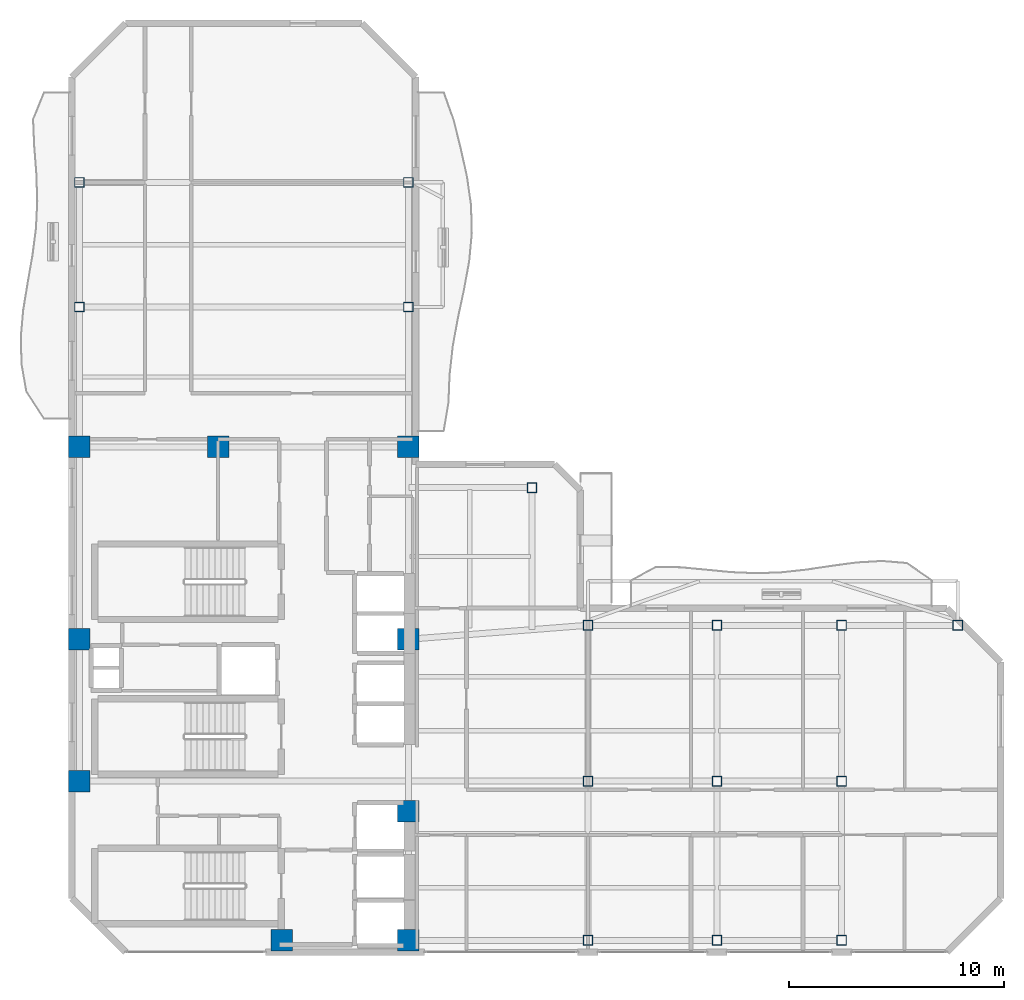
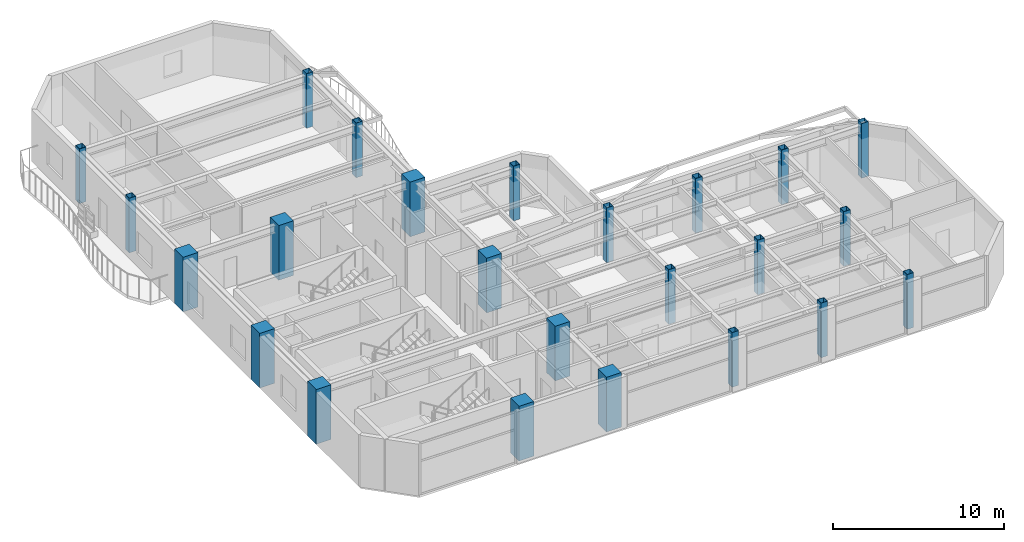
# One storey, part 1 of 15: 24 columns.
"""IFC4 building model written with IfcOpenShell, lengths in metres."""

from ifc_helpers import new_model, si_unit, direction, frame, origin, origin_2d, place, context, subcontext, project, spatial, rectangle, hollow_rectangle, extrude, material, material_profile, profile_set, type_object, element, save


model = new_model("IFC4")

# Units and contexts
model_context = context("Model", 3, precision=1e-05, world=origin(), true_north=direction((0.0, 1.0)))
body_context = subcontext(model_context, "Body", "Model", "MODEL_VIEW")
ifc_project = project(units=[si_unit("LENGTHUNIT", "METRE"), si_unit("AREAUNIT", "SQUARE_METRE"), si_unit("VOLUMEUNIT", "CUBIC_METRE"), si_unit("PLANEANGLEUNIT", "RADIAN"), si_unit("MASSUNIT", "GRAM", prefix="KILO")], contexts=[model_context])

# Site, building, storey
site_placement = place(None, origin())
site = spatial("IfcSite", under=ifc_project, at=site_placement, CompositionType="ELEMENT")
building_placement = place(site_placement, origin())
building = spatial("IfcBuilding", under=site, at=building_placement, Name="Mawjaban Terraces University", CompositionType="ELEMENT")
storey_placement = place(building_placement, frame((0.0, 0.0, 207.0)))
storey = spatial("IfcBuildingStorey", under=building, at=storey_placement, Name="L50", CompositionType="ELEMENT", Elevation=207.0)

# Columns
ifc_material_1 = material(Name="Concrete C60/75", Category="concrete")
ifc_material_profile_1 = material_profile(ifc_material_1, rectangle(XDim=1.0, YDim=1.0, at=origin_2d()), Name="RC1000X1000")
ifc_profile_set_1 = profile_set([ifc_material_profile_1], Name="Concrete C60/75")
column_type_1 = type_object("IfcColumnType", Name="Col_RC1000X1000", PredefinedType="COLUMN", material=ifc_profile_set_1)
for number, where, z_axis, x_axis, name in (
    (1, (31.75, 0.550048828125, 0.0), (0.0, 0.0, 1.0), (1.0, 0.0, 0.0), "L50 Column CC2"),
    (2, (37.64990234375, 0.550048828125, 0.0), (0.0, 0.0, 1.0), (1.0, 0.0, 0.0), "L50 Column CC3"),
    (3, (22.35009765625, 7.949951171875, 0.0), (0.0, 0.0, 1.0), (1.0, 0.0, 0.0), "L50 Column CC4"),
    (4, (37.64990234375, 6.550048828125, 0.0), (0.0, 0.0, 1.0), (1.0, 0.0, 0.0), "L50 Column CC5"),
    (5, (22.35009765625, 14.550048828125, 0.0), (0.0, 0.0, 1.0), (1.0, 0.0, 0.0), "L50 Column CC6"),
    (6, (37.64990234375, 14.550048828125, 0.0), (0.0, 0.0, 1.0), (1.0, 0.0, 0.0), "L50 Column CC7"),
    (7, (22.35009765625, 23.5, 0.0), (0.0, 0.0, 1.0), (1.0, 0.0, 0.0), "L50 Column CC8"),
    (8, (28.800048828125, 23.5, 0.0), (0.0, 0.0, 1.0), (1.0, 0.0, 0.0), "L50 Column CC9"),
    (9, (37.64990234375, 23.5, 0.0), (0.0, 0.0, 1.0), (1.0, 0.0, 0.0), "L50 Column CC10"),
):
    element("IfcColumn", number, at=place(storey_placement, frame(where, z_axis=z_axis, x_axis=x_axis)), inside=storey, type_object=column_type_1, Name=name, PredefinedType="COLUMN", context=body_context, shape_type="SweptSolid", body=[
        extrude(rectangle(XDim=1.0, YDim=1.0, at=origin_2d()), origin(), (0.0, 0.0, 1.0), 3.89990234375),
    ])
ifc_material_2 = material(Name="Steel EN 10210-1 S355J2H", Category="steel")
ifc_material_profile_2 = material_profile(ifc_material_2, hollow_rectangle(XDim=0.449951171875, YDim=0.449951171875, WallThickness=0.02001953125, at=origin_2d()), Name="SHS450X450X20")
ifc_profile_set_2 = profile_set([ifc_material_profile_2], Name="Steel EN 10210-1 S355J2H")
column_type_2 = type_object("IfcColumnType", Name="Col_SHS450X450X20", PredefinedType="COLUMN", material=ifc_profile_set_2)
for number, where, z_axis, x_axis, name in (
    (10, (46.0, 0.550048828125, 0.0), (0.0, 0.0, 1.0), (1.0, 0.0, 0.0), "L50 Column TE-460-005"),
    (11, (46.0, 7.949951171875, 0.0), (0.0, 0.0, 1.0), (1.0, 0.0, 0.0), "L50 Column TE-460-080"),
    (12, (46.0, 15.199951171875, 0.0), (0.0, 0.0, 1.0), (1.0, 0.0, 0.0), "L50 Column TE-460-152"),
    (13, (52.0, 0.550048828125, 0.0), (0.0, 0.0, 1.0), (1.0, 0.0, 0.0), "L50 Column TE-520-005"),
    (14, (52.0, 7.949951171875, 0.0), (0.0, 0.0, 1.0), (1.0, 0.0, 0.0), "L50 Column TE-520-080"),
    (15, (52.0, 15.199951171875, 0.0), (0.0, 0.0, 1.0), (1.0, 0.0, 0.0), "L50 Column TE-520-152"),
    (16, (57.800048828125, 0.550048828125, 0.0), (0.0, 0.0, 1.0), (1.0, 0.0, 0.0), "L50 Column TE-578-005"),
    (17, (57.800048828125, 7.949951171875, 0.0), (0.0, 0.0, 1.0), (1.0, 0.0, 0.0), "L50 Column TE-578-080"),
    (18, (57.800048828125, 15.199951171875, 0.0), (0.0, 0.0, 1.0), (1.0, 0.0, 0.0), "L50 Column TE-578-152"),
    (19, (63.199951171875, 15.199951171875, 0.0), (0.0, 0.0, 1.0), (1.0, 0.0, 0.0), "L50 Column TE-632-152"),
    (20, (22.35009765625, 30.0, 0.0), (0.0, 0.0, 1.0), (1.0, 0.0, 0.0), "L50 Column TN-223-300"),
    (21, (37.64990234375, 30.0, 0.0), (0.0, 0.0, 1.0), (1.0, 0.0, 0.0), "L50 Column TN-376-300"),
    (22, (22.35009765625, 35.800048828125, 0.0), (0.0, 0.0, 1.0), (1.0, 0.0, 0.0), "L50 Column TN-223-358"),
    (23, (37.64990234375, 35.800048828125, 0.0), (0.0, 0.0, 1.0), (1.0, 0.0, 0.0), "L50 Column TN-376-358"),
    (24, (43.39990234375, 21.60009765625, 0.0), (0.0, 0.0, 1.0), (1.0, 0.0, 0.0), "L50 Column TS-434-216"),
):
    element("IfcColumn", number, at=place(storey_placement, frame(where, z_axis=z_axis, x_axis=x_axis)), inside=storey, type_object=column_type_2, Name=name, PredefinedType="COLUMN", context=body_context, shape_type="SweptSolid", body=[
        extrude(hollow_rectangle(XDim=0.449951171875, YDim=0.449951171875, WallThickness=0.02001953125, at=origin_2d()), origin(), (0.0, 0.0, 1.0), 3.89990234375),
    ])

save(model, "model.ifc")
